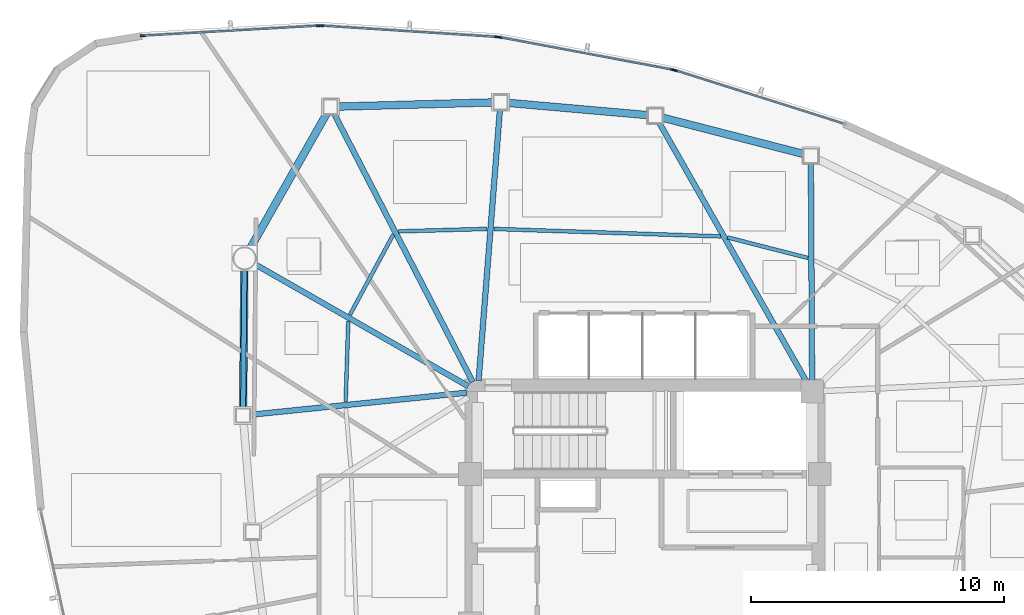
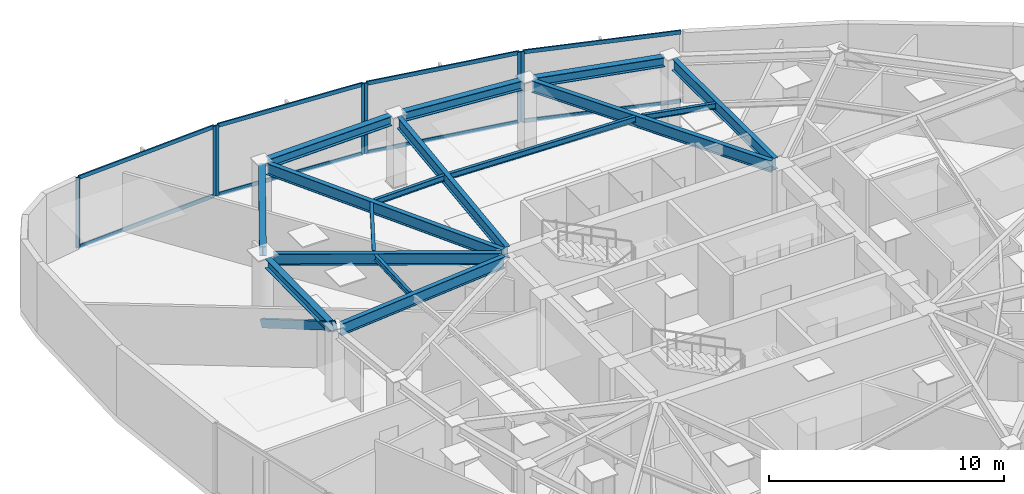
# One storey, part 6 of 14: 16 beams, 16 members, 4 elements without a shape of their own.
"""IFC4 building model written with IfcOpenShell, lengths in metres."""

from ifc_helpers import new_model, si_unit, direction, frame, origin, origin_2d, place, context, subcontext, project, spatial, hollow_rectangle, i_section, extrude, source, transform, mapped, material, layer, layer_set, material_profile, profile_set, type_object, type_shapes, element, aggregate, save


model = new_model("IFC4")

# Units and contexts
model_context = context("Model", 3, precision=1e-05, world=origin(), true_north=direction((0.0, 1.0)))
body_context = subcontext(model_context, "Body", "Model", "MODEL_VIEW")
ifc_project = project(units=[si_unit("LENGTHUNIT", "METRE"), si_unit("AREAUNIT", "SQUARE_METRE"), si_unit("VOLUMEUNIT", "CUBIC_METRE"), si_unit("PLANEANGLEUNIT", "RADIAN"), si_unit("MASSUNIT", "GRAM", prefix="KILO")], contexts=[model_context])

# Site, building, storey
site_placement = place(None, origin())
site = spatial("IfcSite", under=ifc_project, at=site_placement, CompositionType="ELEMENT")
building_placement = place(site_placement, origin())
building = spatial("IfcBuilding", under=site, at=building_placement, Name="Tavelor Broadcast Tower", CompositionType="ELEMENT")
storey_placement = place(building_placement, frame((0.0, 0.0, 234.0)))
storey = spatial("IfcBuildingStorey", under=building, at=storey_placement, Name="L55", CompositionType="ELEMENT", Elevation=234.0)

# Beams
ifc_material_1 = material(Name="Steel S355", Category="steel")
ifc_material_profile_1 = material_profile(ifc_material_1, i_section(OverallWidth=0.14990234375, OverallDepth=0.300048828125, WebThickness=0.007080078125, FlangeThickness=0.0107421875, at=origin_2d()), Name="IPE 300")
ifc_profile_set_1 = profile_set([ifc_material_profile_1], Name="Steel S355")
beam_type_1 = type_object("IfcBeamType", Name="Composite Floor Joist T5 IPE 300", PredefinedType="JOIST", material=ifc_profile_set_1)
beam_1_placement = place(storey_placement, frame((38.289794921875, 53.978515625, 3.5), z_axis=(-0.031859396157, -0.999492360589, 0.0), x_axis=(0.999492360589, -0.031859396157, 0.0)))
element("IfcBeam", 1, at=beam_1_placement, inside=storey, type_object=beam_type_1, Name="L55 Secondary Composite Floor Joist 01", PredefinedType="JOIST", context=body_context, shape_type="SweptSolid", body=[
    extrude(i_section(OverallWidth=0.14990234375, OverallDepth=0.300048828125, WebThickness=0.007080078125, FlangeThickness=0.0107421875, at=origin_2d()), origin(), (0.0, 0.0, 1.0), 3.172607421875),
])
beam_2_placement = place(storey_placement, frame((56.434326171875, 56.4736328125, 3.5), z_axis=(-0.968901023903, 0.247448592399, 0.0), x_axis=(-0.247448592399, -0.968901023903, 0.0)))
element("IfcBeam", 2, at=beam_2_placement, inside=storey, type_object=beam_type_1, Name="L55 Secondary Composite Floor Joist 15", PredefinedType="JOIST", context=body_context, shape_type="SweptSolid", body=[
    extrude(i_section(OverallWidth=0.14990234375, OverallDepth=0.300048828125, WebThickness=0.007080078125, FlangeThickness=0.0107421875, at=origin_2d()), origin(), (0.0, 0.0, 1.0), 3.283447265625),
])
beam_3_placement = place(storey_placement, frame((52.978515625, 57.3251953125, 3.5), z_axis=(-0.999455526468, 0.032994705837, 0.0), x_axis=(-0.032994705837, -0.999455526468, 0.0)))
element("IfcBeam", 3, at=beam_3_placement, inside=storey, type_object=beam_type_1, Name="L55 Secondary Composite Floor Joist 16", PredefinedType="JOIST", context=body_context, shape_type="SweptSolid", body=[
    extrude(i_section(OverallWidth=0.14990234375, OverallDepth=0.300048828125, WebThickness=0.007080078125, FlangeThickness=0.0107421875, at=origin_2d()), origin(), (0.0, 0.0, 1.0), 8.9384765625),
])
beam_4_placement = place(storey_placement, frame((43.76611328125, 57.620849609375, 3.5), z_axis=(-0.999611398275, -0.027875660324, 0.0), x_axis=(0.027875660324, -0.999611398275, 0.0)))
element("IfcBeam", 4, at=beam_4_placement, inside=storey, type_object=beam_type_1, Name="L55 Secondary Composite Floor Joist 17", PredefinedType="JOIST", context=body_context, shape_type="SweptSolid", body=[
    extrude(i_section(OverallWidth=0.14990234375, OverallDepth=0.300048828125, WebThickness=0.007080078125, FlangeThickness=0.0107421875, at=origin_2d()), origin(), (0.0, 0.0, 1.0), 3.49462890625),
])
beam_5_placement = place(storey_placement, frame((40.0673828125, 57.39697265625, 3.5), z_axis=(-0.475640833171, -0.879639584046, 0.0), x_axis=(0.879639584046, -0.475640833171, 0.0)))
element("IfcBeam", 5, at=beam_5_placement, inside=storey, type_object=beam_type_1, Name="L55 Secondary Composite Floor Joist 18", PredefinedType="JOIST", context=body_context, shape_type="SweptSolid", body=[
    extrude(i_section(OverallWidth=0.14990234375, OverallDepth=0.300048828125, WebThickness=0.007080078125, FlangeThickness=0.0107421875, at=origin_2d()), origin(), (0.0, 0.0, 1.0), 3.58837890625),
])
ifc_material_profile_2 = material_profile(ifc_material_1, i_section(OverallWidth=0.300048828125, OverallDepth=0.489990234375, WebThickness=0.011962890625, FlangeThickness=0.02294921875, at=origin_2d()), Name="HEA 500")
ifc_profile_set_2 = profile_set([ifc_material_profile_2], Name="Steel S355")
beam_type_2 = type_object("IfcBeamType", Name="Perimeter Spandrel Beam T5 HEA 500", PredefinedType="SPANDREL", material=ifc_profile_set_2)
beam_6_placement = place(storey_placement, frame((34.192138671875, 56.021240234375, 3.405029296875), z_axis=(-0.009538233347, -0.999954510018, 0.0), x_axis=(0.999954510018, -0.009538233347, 0.0)))
element("IfcBeam", 6, at=beam_6_placement, inside=storey, type_object=beam_type_2, Name="L55 Framed-Tube Ring Spandrel 01", PredefinedType="SPANDREL", context=body_context, shape_type="SweptSolid", body=[
    extrude(i_section(OverallWidth=0.300048828125, OverallDepth=0.489990234375, WebThickness=0.011962890625, FlangeThickness=0.02294921875, at=origin_2d()), origin(), (0.0, 0.0, 1.0), 5.4775390625),
])
beam_7_placement = place(storey_placement, frame((56.2666015625, 60.575927734375, 3.405029296875), z_axis=(-0.968398561847, 0.249407749304, 0.0), x_axis=(-0.249407749304, -0.968398561847, 0.0)))
element("IfcBeam", 7, at=beam_7_placement, inside=storey, type_object=beam_type_2, Name="L55 Framed-Tube Ring Spandrel 15", PredefinedType="SPANDREL", context=body_context, shape_type="SweptSolid", body=[
    extrude(i_section(OverallWidth=0.300048828125, OverallDepth=0.489990234375, WebThickness=0.011962890625, FlangeThickness=0.02294921875, at=origin_2d()), origin(), (0.0, 0.0, 1.0), 5.7626953125),
])
beam_8_placement = place(storey_placement, frame((50.120361328125, 62.110107421875, 3.405029296875), z_axis=(-0.996165524703, 0.087488555787, 0.0), x_axis=(-0.087488555787, -0.996165524703, 0.0)))
element("IfcBeam", 8, at=beam_8_placement, inside=storey, type_object=beam_type_2, Name="L55 Framed-Tube Ring Spandrel 16", PredefinedType="SPANDREL", context=body_context, shape_type="SweptSolid", body=[
    extrude(i_section(OverallWidth=0.300048828125, OverallDepth=0.489990234375, WebThickness=0.011962890625, FlangeThickness=0.02294921875, at=origin_2d()), origin(), (0.0, 0.0, 1.0), 5.555908203125),
])
beam_9_placement = place(storey_placement, frame((44.010986328125, 62.613525390625, 3.405029296875), z_axis=(-0.999631563069, -0.027142920174, 0.0), x_axis=(0.027142920174, -0.999631563069, 0.0)))
element("IfcBeam", 9, at=beam_9_placement, inside=storey, type_object=beam_type_2, Name="L55 Framed-Tube Ring Spandrel 17", PredefinedType="SPANDREL", context=body_context, shape_type="SweptSolid", body=[
    extrude(i_section(OverallWidth=0.300048828125, OverallDepth=0.489990234375, WebThickness=0.011962890625, FlangeThickness=0.02294921875, at=origin_2d()), origin(), (0.0, 0.0, 1.0), 6.13427734375),
])
beam_10_placement = place(storey_placement, frame((37.44873046875, 62.188720703125, 3.405029296875), z_axis=(-0.49368262273, -0.869642149401, 0.0), x_axis=(0.869642149401, -0.49368262273, 0.0)))
element("IfcBeam", 10, at=beam_10_placement, inside=storey, type_object=beam_type_2, Name="L55 Framed-Tube Ring Spandrel 18", PredefinedType="SPANDREL", context=body_context, shape_type="SweptSolid", body=[
    extrude(i_section(OverallWidth=0.300048828125, OverallDepth=0.489990234375, WebThickness=0.011962890625, FlangeThickness=0.02294921875, at=origin_2d()), origin(), (0.0, 0.0, 1.0), 6.14892578125),
])

# Member
ifc_material_profile_3 = material_profile(ifc_material_1, hollow_rectangle(XDim=0.199951171875, YDim=0.39990234375, WallThickness=0.01611328125, at=origin_2d()), Name="RHS 400x200x16")
ifc_profile_set_3 = profile_set([ifc_material_profile_3], Name="Steel S355")
member_type_1 = type_object("IfcMemberType", Name="Perimeter Tube Brace T5 RHS 400x200x16", PredefinedType="BRACE", material=ifc_profile_set_3)
member_1_placement = place(storey_placement, frame((34.1962890625, 56.4599609375, 0.0), z_axis=(-0.008207725636, -0.861879024195, 0.507047513447), x_axis=(0.999954658748, -0.009522628184, 0.0)))
element("IfcMember", 11, at=member_1_placement, inside=storey, type_object=member_type_1, Name="L55 Corner Tube Diagonal Brace 1", PredefinedType="BRACE", context=body_context, shape_type="SweptSolid", body=[
    extrude(hollow_rectangle(XDim=0.199951171875, YDim=0.39990234375, WallThickness=0.01611328125, at=origin_2d()), origin(), (0.0, 0.0, 1.0), 7.1982421875),
])

# Beams
ifc_material_profile_4 = material_profile(ifc_material_1, i_section(OverallWidth=0.219970703125, OverallDepth=0.60009765625, WebThickness=0.011962890625, FlangeThickness=0.01904296875, at=origin_2d()), Name="IPE 600")
ifc_profile_set_4 = profile_set([ifc_material_profile_4], Name="Steel S355")
beam_type_3 = type_object("IfcBeamType", Name="Radial Floor Girder T5 IPE 600", PredefinedType="BEAM", material=ifc_profile_set_4)
beam_11_placement = place(storey_placement, frame((43.02490234375, 51.414306640625, 3.35009765625), z_axis=(-0.868210713595, 0.496195683979, 0.0), x_axis=(-0.496195683979, -0.868210713595, 0.0)))
element("IfcBeam", 12, at=beam_11_placement, inside=storey, type_object=beam_type_3, Name="L55 Radial Primary Floor Girder 01", PredefinedType="BEAM", context=body_context, shape_type="SweptSolid", body=[
    extrude(i_section(OverallWidth=0.219970703125, OverallDepth=0.60009765625, WebThickness=0.011962890625, FlangeThickness=0.01904296875, at=origin_2d()), origin(), (0.0, 0.0, 1.0), 9.729736328125),
])
beam_12_placement = place(storey_placement, frame((42.97021484375, 51.15625, 3.35009765625), z_axis=(-0.994846025553, -0.101397166829, 0.0), x_axis=(0.101397166829, -0.994846025553, 0.0)))
element("IfcBeam", 13, at=beam_12_placement, inside=storey, type_object=beam_type_3, Name="L55 Radial Primary Floor Girder 02", PredefinedType="BEAM", context=body_context, shape_type="SweptSolid", body=[
    extrude(i_section(OverallWidth=0.219970703125, OverallDepth=0.60009765625, WebThickness=0.011962890625, FlangeThickness=0.01904296875, at=origin_2d()), origin(), (0.0, 0.0, 1.0), 8.5908203125),
])
beam_13_placement = place(storey_placement, frame((56.597412109375, 51.632080078125, 3.35009765625), z_axis=(-0.005830390092, 0.999983003131, 0.0), x_axis=(-0.999983003131, -0.005830390092, 0.0)))
element("IfcBeam", 14, at=beam_13_placement, inside=storey, type_object=beam_type_3, Name="L55 Radial Primary Floor Girder 15", PredefinedType="BEAM", context=body_context, shape_type="SweptSolid", body=[
    extrude(i_section(OverallWidth=0.219970703125, OverallDepth=0.60009765625, WebThickness=0.011962890625, FlangeThickness=0.01904296875, at=origin_2d()), origin(), (0.0, 0.0, 1.0), 8.584228515625),
])
beam_14_placement = place(storey_placement, frame((56.386474609375, 51.575439453125, 3.35009765625), z_axis=(-0.49450754608, 0.869173335342, 0.0), x_axis=(-0.869173335342, -0.49450754608, 0.0)))
element("IfcBeam", 15, at=beam_14_placement, inside=storey, type_object=beam_type_3, Name="L55 Radial Primary Floor Girder 16", PredefinedType="BEAM", context=body_context, shape_type="SweptSolid", body=[
    extrude(i_section(OverallWidth=0.219970703125, OverallDepth=0.60009765625, WebThickness=0.011962890625, FlangeThickness=0.01904296875, at=origin_2d()), origin(), (0.0, 0.0, 1.0), 11.803466796875),
])
beam_15_placement = place(storey_placement, frame((43.433837890625, 51.630615234375, 3.35009765625), z_axis=(0.078449146994, 0.996918116666, 0.0), x_axis=(-0.996918116666, 0.078449146994, 0.0)))
element("IfcBeam", 16, at=beam_15_placement, inside=storey, type_object=beam_type_3, Name="L55 Radial Primary Floor Girder 17", PredefinedType="BEAM", context=body_context, shape_type="SweptSolid", body=[
    extrude(i_section(OverallWidth=0.219970703125, OverallDepth=0.60009765625, WebThickness=0.011962890625, FlangeThickness=0.01904296875, at=origin_2d()), origin(), (0.0, 0.0, 1.0), 10.73681640625),
])
beam_16_placement = place(storey_placement, frame((43.20166015625, 51.583740234375, 3.35009765625), z_axis=(-0.459155708723, 0.888355804364, 0.0), x_axis=(-0.888355804364, -0.459155708723, 0.0)))
element("IfcBeam", 17, at=beam_16_placement, inside=storey, type_object=beam_type_3, Name="L55 Radial Primary Floor Girder 18", PredefinedType="BEAM", context=body_context, shape_type="SweptSolid", body=[
    extrude(i_section(OverallWidth=0.219970703125, OverallDepth=0.60009765625, WebThickness=0.011962890625, FlangeThickness=0.01904296875, at=origin_2d()), origin(), (0.0, 0.0, 1.0), 11.931640625),
])

# Curtain wall, member
ifc_material_2 = material(Name="Architectural Anodized Aluminium", Category="aluminium")
ifc_layer = layer(ifc_material_2, 0.199951171875)
ifc_layer_set = layer_set([ifc_layer], Name="Architectural Anodized Aluminium")
curtain_wall_type = type_object("IfcCurtainWallType", Name="Tower High-Zone Triple-Glazed Curtain Wall CW04", PredefinedType="NOTDEFINED", material=ifc_layer_set)
curtain_wall_1_placement = place(storey_placement, origin())
curtain_wall_1 = element("IfcCurtainWall", 18, at=curtain_wall_1_placement, inside=storey, type_object=curtain_wall_type, Name="L55 Curtain Wall CW04 Run 597", PredefinedType="NOTDEFINED")
ifc_material_profile_5 = material_profile(ifc_material_2, hollow_rectangle(XDim=0.070068359375, YDim=0.199951171875, WallThickness=0.02197265625, at=origin_2d()), Name="RHS 70x200x22")
ifc_profile_set_5 = profile_set([ifc_material_profile_5], Name="Architectural Anodized Aluminium")
member_type_2 = type_object("IfcMemberType", Name="CW04 Extruded Aluminium Mullion 70x200", PredefinedType="MULLION", material=ifc_profile_set_5)
shared_shape_1 = source(origin(), body_context, "Body", "SweptSolid", [
    extrude(hollow_rectangle(XDim=0.070068359375, YDim=0.199951171875, WallThickness=0.02197265625, at=origin_2d()), origin(), (0.0, 0.0, 1.0), 3.64990234375),
])
type_shapes(member_type_2, [shared_shape_1])
member_2_placement = place(storey_placement, frame((51.193359375, 63.8779296875, 0.0), z_axis=(0.0, 0.0, 1.0), x_axis=(-0.301959734691, -0.953320679848, 0.0)))
member_2 = element("IfcMember", 19, at=member_2_placement, type_object=member_type_2, Name="CW04 mullion 2", PredefinedType="MULLION", context=body_context, shape_type="MappedRepresentation", body=[
    mapped(shared_shape_1, transform((0.0, 0.0, 0.0), scale=1.0)),
])

# Curtain wall, members
curtain_wall_2_placement = place(storey_placement, origin())
curtain_wall_2 = element("IfcCurtainWall", 20, at=curtain_wall_2_placement, inside=storey, type_object=curtain_wall_type, Name="L55 Curtain Wall CW04 Run 598", PredefinedType="NOTDEFINED")
member_3_placement = place(storey_placement, frame((51.096435546875, 63.90234375, 0.0), z_axis=(0.0, 0.0, 1.0), x_axis=(-0.184387427603, -0.982853639431, 0.0)))
member_3 = element("IfcMember", 21, at=member_3_placement, type_object=member_type_2, Name="CW04 mullion 1", PredefinedType="MULLION", context=body_context, shape_type="MappedRepresentation", body=[
    mapped(shared_shape_1, transform((0.0, 0.0, 0.0), scale=1.0)),
])
member_4_placement = place(storey_placement, frame((44.2646484375, 65.18408203125, 0.0), z_axis=(0.0, 0.0, 1.0), x_axis=(-0.184387427603, -0.982853639431, 0.0)))
member_4 = element("IfcMember", 22, at=member_4_placement, type_object=member_type_2, Name="CW04 mullion 2", PredefinedType="MULLION", context=body_context, shape_type="MappedRepresentation", body=[
    mapped(shared_shape_1, transform((0.0, 0.0, 0.0), scale=1.0)),
])

curtain_wall_3_placement = place(storey_placement, origin())
curtain_wall_3 = element("IfcCurtainWall", 23, at=curtain_wall_3_placement, inside=storey, type_object=curtain_wall_type, Name="L55 Curtain Wall CW04 Run 599", PredefinedType="NOTDEFINED")
member_5_placement = place(storey_placement, frame((44.16552734375, 65.196533203125, 0.0), z_axis=(0.0, 0.0, 1.0), x_axis=(-0.064078922847, -0.99794483397, 0.0)))
member_5 = element("IfcMember", 24, at=member_5_placement, type_object=member_type_2, Name="CW04 mullion 1", PredefinedType="MULLION", context=body_context, shape_type="MappedRepresentation", body=[
    mapped(shared_shape_1, transform((0.0, 0.0, 0.0), scale=1.0)),
])
member_6_placement = place(storey_placement, frame((37.228759765625, 65.641845703125, 0.0), z_axis=(0.0, 0.0, 1.0), x_axis=(-0.064078922847, -0.99794483397, 0.0)))
member_6 = element("IfcMember", 25, at=member_6_placement, type_object=member_type_2, Name="CW04 mullion 2", PredefinedType="MULLION", context=body_context, shape_type="MappedRepresentation", body=[
    mapped(shared_shape_1, transform((0.0, 0.0, 0.0), scale=1.0)),
])

curtain_wall_4_placement = place(storey_placement, origin())
curtain_wall_4 = element("IfcCurtainWall", 26, at=curtain_wall_4_placement, inside=storey, type_object=curtain_wall_type, Name="L55 Curtain Wall CW04 Run 600", PredefinedType="NOTDEFINED")
member_7_placement = place(storey_placement, frame((37.12890625, 65.64208984375, 0.0), z_axis=(0.0, 0.0, 1.0), x_axis=(0.057140846867, -0.998366127039, 0.0)))
member_7 = element("IfcMember", 27, at=member_7_placement, type_object=member_type_2, Name="CW04 mullion 1", PredefinedType="MULLION", context=body_context, shape_type="MappedRepresentation", body=[
    mapped(shared_shape_1, transform((0.0, 0.0, 0.0), scale=1.0)),
])
member_8_placement = place(storey_placement, frame((30.17333984375, 65.244140625, 0.0), z_axis=(0.0, 0.0, 1.0), x_axis=(0.057140846867, -0.998366127039, 0.0)))
member_8 = element("IfcMember", 28, at=member_8_placement, type_object=member_type_2, Name="CW04 mullion 2", PredefinedType="MULLION", context=body_context, shape_type="MappedRepresentation", body=[
    mapped(shared_shape_1, transform((0.0, 0.0, 0.0), scale=1.0)),
])

# Member
ifc_material_profile_6 = material_profile(ifc_material_2, hollow_rectangle(XDim=0.070068359375, YDim=0.199951171875, WallThickness=0.02197265625, at=origin_2d()), Name="RHS 70x200x22")
ifc_profile_set_6 = profile_set([ifc_material_profile_6], Name="Architectural Anodized Aluminium")
member_type_3 = type_object("IfcMemberType", Name="CW04 Extruded Aluminium Transom 70x200", PredefinedType="USERDEFINED", material=ifc_profile_set_6)
shared_shape_2 = source(origin(), body_context, "Body", "SweptSolid", [
    extrude(hollow_rectangle(XDim=0.070068359375, YDim=0.199951171875, WallThickness=0.02197265625, at=origin_2d()), origin(), (0.0, 0.0, 1.0), 6.880859375),
])
member_9_placement = place(storey_placement, frame((51.06201171875, 63.90869140625, 0.034912109375), z_axis=(-0.98285249955, 0.184393503489, 0.0), x_axis=(-0.184393503489, -0.98285249955, 0.0)))
member_9 = element("IfcMember", 29, at=member_9_placement, type_object=member_type_3, Name="CW04 transom 1.1", ObjectType="TRANSOM", PredefinedType="USERDEFINED", context=body_context, shape_type="MappedRepresentation", body=[
    mapped(shared_shape_2, transform((0.0, 0.0, 0.0), scale=1.0)),
])

member_10_placement = place(storey_placement, frame((51.06201171875, 63.90869140625, 3.614990234375), z_axis=(-0.98285249955, 0.184393503489, 0.0), x_axis=(-0.184393503489, -0.98285249955, 0.0)))
member_10 = element("IfcMember", 30, at=member_10_placement, type_object=member_type_3, Name="CW04 transom 1.2", ObjectType="TRANSOM", PredefinedType="USERDEFINED", context=body_context, shape_type="MappedRepresentation", body=[
    mapped(shared_shape_2, transform((0.0, 0.0, 0.0), scale=1.0)),
])

aggregate(curtain_wall_2, [member_3, member_4, member_9, member_10])

shared_shape_3 = source(origin(), body_context, "Body", "SweptSolid", [
    extrude(hollow_rectangle(XDim=0.070068359375, YDim=0.199951171875, WallThickness=0.02197265625, at=origin_2d()), origin(), (0.0, 0.0, 1.0), 6.89599609375),
])
member_11_placement = place(storey_placement, frame((57.80078125, 61.78515625, 0.034912109375), z_axis=(-0.953323883188, 0.301949621201, 0.0), x_axis=(-0.301949621201, -0.953323883188, 0.0)))
member_11 = element("IfcMember", 31, at=member_11_placement, type_object=member_type_3, Name="CW04 transom 1.1", ObjectType="TRANSOM", PredefinedType="USERDEFINED", context=body_context, shape_type="MappedRepresentation", body=[
    mapped(shared_shape_3, transform((0.0, 0.0, 0.0), scale=1.0)),
])

member_12_placement = place(storey_placement, frame((57.80078125, 61.78515625, 3.614990234375), z_axis=(-0.953323883188, 0.301949621201, 0.0), x_axis=(-0.301949621201, -0.953323883188, 0.0)))
member_12 = element("IfcMember", 32, at=member_12_placement, type_object=member_type_3, Name="CW04 transom 1.2", ObjectType="TRANSOM", PredefinedType="USERDEFINED", context=body_context, shape_type="MappedRepresentation", body=[
    mapped(shared_shape_3, transform((0.0, 0.0, 0.0), scale=1.0)),
])

aggregate(curtain_wall_1, [member_2, member_11, member_12])

shared_shape_4 = source(origin(), body_context, "Body", "SweptSolid", [
    extrude(hollow_rectangle(XDim=0.070068359375, YDim=0.199951171875, WallThickness=0.02197265625, at=origin_2d()), origin(), (0.0, 0.0, 1.0), 6.881103515625),
])
member_13_placement = place(storey_placement, frame((44.130615234375, 65.19873046875, 0.034912109375), z_axis=(-0.997944969225, 0.064076816384, 0.0), x_axis=(-0.064076816384, -0.997944969225, 0.0)))
member_13 = element("IfcMember", 33, at=member_13_placement, type_object=member_type_3, Name="CW04 transom 1.1", ObjectType="TRANSOM", PredefinedType="USERDEFINED", context=body_context, shape_type="MappedRepresentation", body=[
    mapped(shared_shape_4, transform((0.0, 0.0, 0.0), scale=1.0)),
])

member_14_placement = place(storey_placement, frame((44.130615234375, 65.19873046875, 3.614990234375), z_axis=(-0.997944969225, 0.064076816384, 0.0), x_axis=(-0.064076816384, -0.997944969225, 0.0)))
member_14 = element("IfcMember", 34, at=member_14_placement, type_object=member_type_3, Name="CW04 transom 1.2", ObjectType="TRANSOM", PredefinedType="USERDEFINED", context=body_context, shape_type="MappedRepresentation", body=[
    mapped(shared_shape_4, transform((0.0, 0.0, 0.0), scale=1.0)),
])

aggregate(curtain_wall_3, [member_5, member_6, member_13, member_14])

shared_shape_5 = source(origin(), body_context, "Body", "SweptSolid", [
    extrude(hollow_rectangle(XDim=0.070068359375, YDim=0.199951171875, WallThickness=0.02197265625, at=origin_2d()), origin(), (0.0, 0.0, 1.0), 6.89697265625),
])
type_shapes(member_type_3, [shared_shape_2, shared_shape_3, shared_shape_4, shared_shape_5])
member_15_placement = place(storey_placement, frame((37.093994140625, 65.64013671875, 0.034912109375), z_axis=(-0.998366607422, -0.057132452999, 0.0), x_axis=(0.057132452999, -0.998366607422, 0.0)))
member_15 = element("IfcMember", 35, at=member_15_placement, type_object=member_type_3, Name="CW04 transom 1.1", ObjectType="TRANSOM", PredefinedType="USERDEFINED", context=body_context, shape_type="MappedRepresentation", body=[
    mapped(shared_shape_5, transform((0.0, 0.0, 0.0), scale=1.0)),
])

member_16_placement = place(storey_placement, frame((37.093994140625, 65.64013671875, 3.614990234375), z_axis=(-0.998366607422, -0.057132452999, 0.0), x_axis=(0.057132452999, -0.998366607422, 0.0)))
member_16 = element("IfcMember", 36, at=member_16_placement, type_object=member_type_3, Name="CW04 transom 1.2", ObjectType="TRANSOM", PredefinedType="USERDEFINED", context=body_context, shape_type="MappedRepresentation", body=[
    mapped(shared_shape_5, transform((0.0, 0.0, 0.0), scale=1.0)),
])

aggregate(curtain_wall_4, [member_7, member_8, member_15, member_16])

save(model, "model.ifc")
